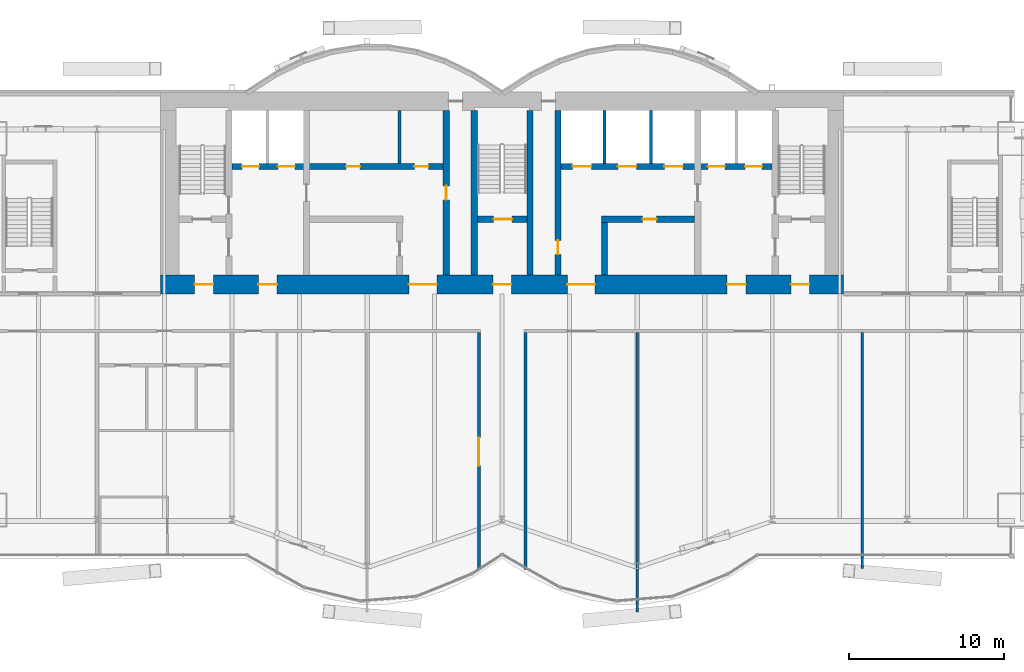
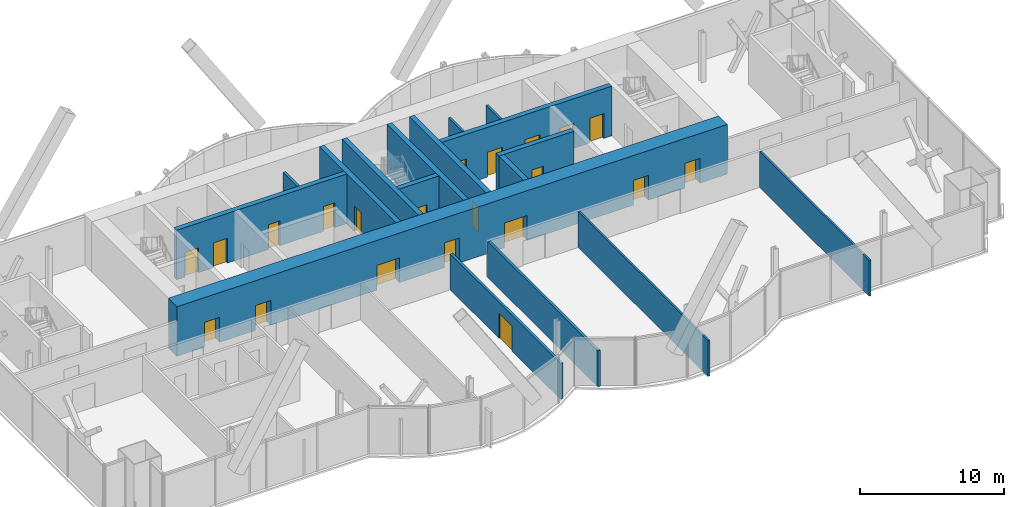
# One storey, part 15 of 20: 21 doors, 17 walls, 21 openings.
"""IFC4 building model written with IfcOpenShell, lengths in metres."""

import ifcopenshell
import ifcopenshell.guid

model = None  # the IFC model being written
_history = None  # IfcOwnerHistory: only IFC2X3 demands one
_inside = {}  # id of a spatial element -> (the spatial element, [elements in it])
_under = {}  # id of a project, library or spatial element -> (it, [spatial elements below it])
_declared = {}  # id of a project -> (the project, [libraries it declares])
_typed = {}  # id of a type object -> (the type object, [elements of that type])
_made_of = {}  # id of a material, layer set ... -> (it, [elements and type objects made of it])


def new_model(schema):
    """Start an empty IFC model of exactly this schema.

    Asked for "IFC4X3", IfcOpenShell would pick the latest addendum, in which some entities
    have other attributes; the version numbers below select the first issue.
    IFC2X3 requires an IfcOwnerHistory on every rooted entity: one is made here for all.
    """
    global model, _history
    if schema == "IFC4X3":
        model = ifcopenshell.file(schema_version=(4, 3, 0, 0))
    else:
        model = ifcopenshell.file(schema=schema)
    _inside.clear()
    _under.clear()
    _declared.clear()
    _typed.clear()
    _made_of.clear()
    _history = None
    if model.schema == "IFC2X3":
        org = make("IfcOrganization", Name="unknown")
        user = make(
            "IfcPersonAndOrganization",
            ThePerson=make("IfcPerson", FamilyName="unknown"),
            TheOrganization=org,
        )
        app = make(
            "IfcApplication",
            ApplicationDeveloper=org,
            Version="unknown",
            ApplicationFullName="unknown",
            ApplicationIdentifier="unknown",
        )
        _history = make(
            "IfcOwnerHistory",
            OwningUser=user,
            OwningApplication=app,
            ChangeAction="ADDED",
            CreationDate=0,
        )
    return model


def make(cls, **values):
    """One entity of the class cls with the attributes given. An attribute that is None is left unset."""
    return model.create_entity(
        cls, **{name: value for name, value in values.items() if value is not None}
    )


def rooted(cls, **values):
    """An entity with a GlobalId (a new one), such as an element, a storey or a relation."""
    return make(cls, GlobalId=ifcopenshell.guid.new(), OwnerHistory=_history, **values)


def si_unit(unit_type, name, prefix=None):
    """IfcSIUnit, for example si_unit("LENGTHUNIT", "METRE", prefix="MILLI")."""
    return make("IfcSIUnit", UnitType=unit_type, Prefix=prefix, Name=name)


def assignment(units):
    """IfcUnitAssignment: the units of a project."""
    return None if units is None else make("IfcUnitAssignment", Units=units)


def point(xyz):
    """IfcCartesianPoint."""
    return None if xyz is None else make("IfcCartesianPoint", Coordinates=xyz)


def direction(xyz):
    """IfcDirection."""
    return None if xyz is None else make("IfcDirection", DirectionRatios=xyz)


def frame(location, z_axis=None, x_axis=None):
    """IfcAxis2Placement3D, a coordinate frame: its origin and axes. An axis left out is left unset."""
    return make(
        "IfcAxis2Placement3D",
        Location=point(location),
        Axis=direction(z_axis),
        RefDirection=direction(x_axis),
    )


def frame_2d(location, x_axis=None):
    """IfcAxis2Placement2D, a coordinate frame in the plane: its origin and x axis."""
    return make(
        "IfcAxis2Placement2D", Location=point(location), RefDirection=direction(x_axis)
    )


def origin():
    """The frame at (0, 0, 0) with its axes left unset."""
    return frame((0.0, 0.0, 0.0))


def place(relative_to, where):
    """IfcLocalPlacement: puts the frame where relative to a parent placement (None: the world)."""
    return make(
        "IfcLocalPlacement", PlacementRelTo=relative_to, RelativePlacement=where
    )


def context(
    kind, dimensions, precision=None, world=None, true_north=None, identifier=None
):
    """IfcGeometricRepresentationContext, for example the 3D "Model" context."""
    return make(
        "IfcGeometricRepresentationContext",
        ContextIdentifier=identifier,
        ContextType=kind,
        CoordinateSpaceDimension=dimensions,
        Precision=precision,
        WorldCoordinateSystem=world,
        TrueNorth=true_north,
    )


def subcontext(parent, identifier, kind, view, scale=None):
    """IfcGeometricRepresentationSubContext, for example "Body" below "Model"."""
    return make(
        "IfcGeometricRepresentationSubContext",
        ContextIdentifier=identifier,
        ContextType=kind,
        ParentContext=parent,
        TargetScale=scale,
        TargetView=view,
    )


def project(units=None, contexts=None):
    """IfcProject with its units and contexts."""
    return rooted(
        "IfcProject",
        Name="project",
        RepresentationContexts=contexts,
        UnitsInContext=assignment(units),
    )


def spatial(cls, under=None, at=None, **own):
    """A site, building, storey or space (cls), placed at a placement, below another one or the project."""
    s = rooted(cls, ObjectPlacement=at, **own)
    if under is not None:
        _under.setdefault(under.id(), (under, []))[1].append(s)
    return s


def profile(cls, at=None, kind="AREA", **sizes):
    """A parametric profile (cls). Its sizes go by their IFC names, for example OverallWidth=200.0."""
    return make(cls, ProfileType=kind, Position=at, **sizes)


def rectangle(**sizes):
    """IfcRectangleProfileDef."""
    return profile("IfcRectangleProfileDef", **sizes)


def extrude(swept, where, along, depth):
    """IfcExtrudedAreaSolid: the profile swept, set in the frame where, extruded along a direction by depth."""
    return make(
        "IfcExtrudedAreaSolid",
        SweptArea=swept,
        Position=where,
        ExtrudedDirection=direction(along),
        Depth=depth,
    )


def shape(context_of_items, identifier, shape_type, items):
    """IfcShapeRepresentation: the items that make up one representation, for example the "Body"."""
    return make(
        "IfcShapeRepresentation",
        ContextOfItems=context_of_items,
        RepresentationIdentifier=identifier,
        RepresentationType=shape_type,
        Items=items,
    )


def material(Name=None, Category=None):
    """IfcMaterial."""
    return make("IfcMaterial", Name=Name, Category=Category)


def layer(
    of_material, thickness, ventilated=None, Name=None, Category=None, Priority=None
):
    """IfcMaterialLayer: one layer of a wall or slab, of a material (None: an air gap)."""
    return make(
        "IfcMaterialLayer",
        Material=of_material,
        LayerThickness=thickness,
        IsVentilated=ventilated,
        Name=Name,
        Category=Category,
        Priority=Priority,
    )


def layer_set(layers, Name=None):
    """IfcMaterialLayerSet."""
    return make("IfcMaterialLayerSet", MaterialLayers=layers, LayerSetName=Name)


def made_of(thing, what):
    """Note that an element or type object is made of a material, layer set ...; save() writes the relation."""
    if what is not None:
        _made_of.setdefault(what.id(), (what, []))[1].append(thing)
    return thing


def type_object(cls, material=None, **own):
    """A type object (cls), such as IfcWallType, which elements share."""
    return made_of(rooted(cls, **own), material)


def element(
    cls,
    number,
    at=None,
    inside=None,
    cuts=None,
    type_object=None,
    material=None,
    context=None,
    identifier="Body",
    shape_type=None,
    held_by="IfcProductDefinitionShape",
    body=None,
    shapes=None,
    **own,
):
    """One element of the class cls, such as IfcWall. Its Tag is "e" and its number.

    at: its placement. inside: the storey or other place that contains it. cuts: it is an
    opening in that element (IfcRelVoidsElement). A single representation is given by context,
    identifier, shape_type and body (its items); several are given by shapes. held_by: the class
    of the entity that holds the representations. save() writes the other relations.
    """
    e = rooted(cls, Tag="e%d" % number, ObjectPlacement=at, **own)
    if body is not None:
        shapes = [shape(context, identifier, shape_type, body)]
    if shapes is not None:
        e.Representation = make(held_by, Representations=shapes)
    if inside is not None:
        _inside.setdefault(inside.id(), (inside, []))[1].append(e)
    if cuts is not None:
        rooted(
            "IfcRelVoidsElement", RelatingBuildingElement=cuts, RelatedOpeningElement=e
        )
    if type_object is not None:
        _typed.setdefault(type_object.id(), (type_object, []))[1].append(e)
    return made_of(e, material)


def fill(opening, filler):
    """IfcRelFillsElement: the door or window that sits in an opening."""
    return rooted(
        "IfcRelFillsElement",
        RelatingOpeningElement=opening,
        RelatedBuildingElement=filler,
    )


def aggregate(whole, parts):
    """IfcRelAggregates: a whole, such as a stair, and the parts it consists of."""
    return rooted("IfcRelAggregates", RelatingObject=whole, RelatedObjects=parts)


def save(model, path):
    """Write the relations noted so far, then the file.

    IfcRelAggregates (storeys below a building ...), IfcRelContainedInSpatialStructure (elements
    in a storey), IfcRelDefinesByType, IfcRelAssociatesMaterial and IfcRelDeclares: one each for
    every whole, place, type object, material and project.
    """
    for whole, parts in _under.values():
        aggregate(whole, parts)
    for where, things in _inside.values():
        rooted(
            "IfcRelContainedInSpatialStructure",
            RelatedElements=things,
            RelatingStructure=where,
        )
    for kind, things in _typed.values():
        rooted("IfcRelDefinesByType", RelatedObjects=things, RelatingType=kind)
    for what, things in _made_of.values():
        rooted("IfcRelAssociatesMaterial", RelatedObjects=things, RelatingMaterial=what)
    for by, libraries in _declared.values():
        rooted("IfcRelDeclares", RelatingContext=by, RelatedDefinitions=libraries)
    model.write(path)


model = new_model("IFC4")

# Units and contexts
model_context = context("Model", 3, precision=1e-05, world=origin(), true_north=direction((0.0, 1.0)))
body_context = subcontext(model_context, "Body", "Model", "MODEL_VIEW")
ifc_project = project(units=[si_unit("LENGTHUNIT", "METRE"), si_unit("AREAUNIT", "SQUARE_METRE"), si_unit("VOLUMEUNIT", "CUBIC_METRE"), si_unit("PLANEANGLEUNIT", "RADIAN"), si_unit("MASSUNIT", "GRAM", prefix="KILO")], contexts=[model_context])

# Site, building, storey
site_placement = place(None, origin())
site = spatial("IfcSite", under=ifc_project, at=site_placement, CompositionType="ELEMENT")
building_placement = place(site_placement, origin())
building = spatial("IfcBuilding", under=site, at=building_placement, Name="Bicima Exchange Tower", CompositionType="ELEMENT")
storey_placement = place(building_placement, frame((0.0, 0.0, 245.60009765625)))
storey = spatial("IfcBuildingStorey", under=building, at=storey_placement, Name="L55", CompositionType="ELEMENT", Elevation=245.60009765625)

# Walls
ifc_material_1 = material(Name="Gypsum board partition")
ifc_layer_1 = layer(ifc_material_1, 0.199951171875)
ifc_layer_set_1 = layer_set([ifc_layer_1], Name="Gypsum board partition")
wall_type_1 = type_object("IfcWallType", Name="Fire-rated gypsum partition 200 EI120", PredefinedType="PARTITIONING", material=ifc_layer_set_1)
for number, where, z_axis, x_axis, name in (
    (1, (6.60009765625, -4.60009765625, 0.0), (0.0, 0.0, 1.0), (0.0, 1.0, 0.0), "partition wall 18"),
    (2, (9.60009765625, -4.60009765625, 0.0), (0.0, 0.0, 1.0), (0.0, 1.0, 0.0), "partition wall 19"),
):
    element("IfcWall", number, at=place(storey_placement, frame(where, z_axis=z_axis, x_axis=x_axis)), inside=storey, type_object=wall_type_1, Name=name, PredefinedType="PARTITIONING", context=body_context, shape_type="SweptSolid", body=[
        extrude(rectangle(XDim=3.400146484375, YDim=0.199951171875, at=frame_2d((1.7001953125, 0.0))), origin(), (0.0, 0.0, 1.0), 3.039306640625),
    ])

# Wall, opening, door
ifc_layer_2 = layer(ifc_material_1, 0.199951171875)
ifc_layer_set_2 = layer_set([ifc_layer_2], Name="Gypsum board partition")
wall_type_2 = type_object("IfcWallType", Name="Fire-rated gypsum partition 200 EI60", PredefinedType="PARTITIONING", material=ifc_layer_set_2)
wall_1_placement = place(storey_placement, frame((-1.5, -30.760009765625, 0.0), z_axis=(0.0, 0.0, 1.0), x_axis=(0.0, 1.0, 0.0)))
wall_1 = element("IfcWall", 3, at=wall_1_placement, inside=storey, type_object=wall_type_2, Name="partition wall 23", PredefinedType="PARTITIONING", context=body_context, shape_type="SweptSolid", body=[
    extrude(rectangle(XDim=15.260009765625, YDim=0.199951171875, at=frame_2d((7.6298828125, 0.0))), origin(), (0.0, 0.0, 1.0), 3.039306640625),
])
opening_1_placement = place(wall_1_placement, frame((6.699951171875, 0.0, 0.0)))
opening_1 = element("IfcOpeningElement", 4, at=opening_1_placement, cuts=wall_1, Name="Opening L55-014", PredefinedType="OPENING", context=body_context, shape_type="SweptSolid", body=[
    extrude(rectangle(XDim=1.800048828125, YDim=2.10009765625, at=frame_2d((0.89990234375, 1.050048828125))), frame((0.0, 0.11181640625, 0.0), z_axis=(0.0, -1.0, 0.0), x_axis=(1.0, 0.0, 0.0)), (0.0, 0.0, 1.0), 0.223876953125),
])
ifc_material_2 = material(Name="Steel fire door leaf", Category="steel")
door_type_1 = type_object("IfcDoorType", Name="Door 1800 double swing FD30S", OperationType="DOUBLE_DOOR_SINGLE_SWING", PredefinedType="DOOR", material=ifc_material_2)
door_1_placement = place(opening_1_placement, origin())
door_1 = element("IfcDoor", 5, at=door_1_placement, inside=storey, type_object=door_type_1, Name="Door", OperationType="SINGLE_SWING_LEFT", OverallHeight=2.10009765625, OverallWidth=1.800048828125, PredefinedType="DOOR", context=body_context, shape_type="SweptSolid", body=[
    extrude(rectangle(XDim=1.800048828125, YDim=2.10009765625, at=frame_2d((0.89990234375, 1.050048828125))), frame((0.0, 0.02490234375, 0.0), z_axis=(0.0, -1.0, 0.0), x_axis=(1.0, 0.0, 0.0)), (0.0, 0.0, 1.0), 0.050048828125),
])
fill(opening_1, door_1)

# Walls
wall_2_placement = place(storey_placement, frame((1.5, -30.760009765625, 0.0), z_axis=(0.0, 0.0, 1.0), x_axis=(0.0, 1.0, 0.0)))
element("IfcWall", 6, at=wall_2_placement, inside=storey, type_object=wall_type_2, Name="partition wall 24", PredefinedType="PARTITIONING", context=body_context, shape_type="SweptSolid", body=[
    extrude(rectangle(XDim=15.260009765625, YDim=0.199951171875, at=frame_2d((7.6298828125, 0.0))), origin(), (0.0, 0.0, 1.0), 3.039306640625),
])
wall_3_placement = place(storey_placement, frame((-6.60009765625, -4.60009765625, 0.0), z_axis=(0.0, 0.0, 1.0), x_axis=(0.0, 1.0, 0.0)))
element("IfcWall", 7, at=wall_3_placement, inside=storey, type_object=wall_type_2, Name="partition wall 12", PredefinedType="PARTITIONING", context=body_context, shape_type="SweptSolid", body=[
    extrude(rectangle(XDim=3.400146484375, YDim=0.199951171875, at=frame_2d((1.7001953125, 0.0))), origin(), (0.0, 0.0, 1.0), 3.039306640625),
])
ifc_layer_3 = layer(ifc_material_1, 0.14990234375)
ifc_layer_set_3 = layer_set([ifc_layer_3], Name="Gypsum board partition")
wall_type_3 = type_object("IfcWallType", Name="Gypsum partition 150", PredefinedType="PARTITIONING", material=ifc_layer_set_3)
wall_4_placement = place(storey_placement, frame((8.699951171875, -33.483154296875, 0.0), z_axis=(0.0, 0.0, 1.0), x_axis=(0.0, 1.0, 0.0)))
element("IfcWall", 8, at=wall_4_placement, inside=storey, type_object=wall_type_3, Name="partition wall 25", PredefinedType="PARTITIONING", context=body_context, shape_type="SweptSolid", body=[
    extrude(rectangle(XDim=17.983154296875, YDim=0.14990234375, at=frame_2d((8.99169921875, 0.0))), origin(), (0.0, 0.0, 1.0), 3.039306640625),
])
wall_5_placement = place(storey_placement, frame((23.199951171875, -30.687744140625, 0.0), z_axis=(0.0, 0.0, 1.0), x_axis=(0.0, 1.0, 0.0)))
element("IfcWall", 9, at=wall_5_placement, inside=storey, type_object=wall_type_3, Name="partition wall 26", PredefinedType="PARTITIONING", context=body_context, shape_type="SweptSolid", body=[
    extrude(rectangle(XDim=15.187744140625, YDim=0.14990234375, at=frame_2d((7.59375, 0.0))), origin(), (0.0, 0.0, 1.0), 3.039306640625),
])

# Wall, openings, doors
ifc_material_3 = material(Name="Concrete C40/50", Category="concrete")
ifc_layer_4 = layer(ifc_material_3, 1.199951171875)
ifc_layer_set_4 = layer_set([ifc_layer_4], Name="Concrete C40/50")
wall_type_4 = type_object("IfcWallType", Name="RC core wall 1200 C40/50", PredefinedType="SHEAR", material=ifc_layer_set_4)
wall_6_placement = place(storey_placement, frame((-22.0, -12.39990234375, 0.0), z_axis=(0.0, 0.0, 1.0), x_axis=(1.0, 0.0, 0.0)))
wall_6 = element("IfcWall", 10, at=wall_6_placement, inside=storey, type_object=wall_type_4, Name="Core wall south", PredefinedType="SHEAR", context=body_context, shape_type="SweptSolid", body=[
    extrude(rectangle(XDim=44.0, YDim=1.199951171875, at=frame_2d((22.0, 0.0))), origin(), (0.0, 0.0, 1.0), 4.199951171875),
])
opening_2_placement = place(wall_6_placement, frame((2.199951171875, 0.0, 0.0)))
opening_2 = element("IfcOpeningElement", 11, at=opening_2_placement, cuts=wall_6, Name="Opening L55-C18", PredefinedType="OPENING", context=body_context, shape_type="SweptSolid", body=[
    extrude(rectangle(XDim=1.199951171875, YDim=2.10009765625, at=frame_2d((0.60009765625, 1.050048828125))), frame((0.0, 0.61181640625, 0.0), z_axis=(0.0, -1.0, 0.0), x_axis=(1.0, 0.0, 0.0)), (0.0, 0.0, 1.0), 1.223876953125),
])
opening_3_placement = place(wall_6_placement, frame((21.39990234375, 0.0, 0.0)))
opening_3 = element("IfcOpeningElement", 12, at=opening_3_placement, cuts=wall_6, Name="Opening L55-C19", PredefinedType="OPENING", context=body_context, shape_type="SweptSolid", body=[
    extrude(rectangle(XDim=1.199951171875, YDim=2.10009765625, at=frame_2d((0.60009765625, 1.050048828125))), frame((0.0, 0.61181640625, 0.0), z_axis=(0.0, -1.0, 0.0), x_axis=(1.0, 0.0, 0.0)), (0.0, 0.0, 1.0), 1.223876953125),
])
opening_4_placement = place(wall_6_placement, frame((40.60009765625, 0.0, 0.0)))
opening_4 = element("IfcOpeningElement", 13, at=opening_4_placement, cuts=wall_6, Name="Opening L55-C20", PredefinedType="OPENING", context=body_context, shape_type="SweptSolid", body=[
    extrude(rectangle(XDim=1.199951171875, YDim=2.10009765625, at=frame_2d((0.60009765625, 1.050048828125))), frame((0.0, 0.61181640625, 0.0), z_axis=(0.0, -1.0, 0.0), x_axis=(1.0, 0.0, 0.0)), (0.0, 0.0, 1.0), 1.223876953125),
])
opening_5_placement = place(wall_6_placement, frame((16.0, 0.0, 0.0)))
opening_5 = element("IfcOpeningElement", 14, at=opening_5_placement, cuts=wall_6, Name="Opening L55-C21", PredefinedType="OPENING", context=body_context, shape_type="SweptSolid", body=[
    extrude(rectangle(XDim=1.800048828125, YDim=2.10009765625, at=frame_2d((0.89990234375, 1.050048828125))), frame((0.0, 0.61181640625, 0.0), z_axis=(0.0, -1.0, 0.0), x_axis=(1.0, 0.0, 0.0)), (0.0, 0.0, 1.0), 1.223876953125),
])
opening_6_placement = place(wall_6_placement, frame((6.300048828125, 0.0, 0.0)))
opening_6 = element("IfcOpeningElement", 15, at=opening_6_placement, cuts=wall_6, Name="Opening L55-C22", PredefinedType="OPENING", context=body_context, shape_type="SweptSolid", body=[
    extrude(rectangle(XDim=1.199951171875, YDim=2.10009765625, at=frame_2d((0.60009765625, 1.050048828125))), frame((0.0, 0.61181640625, 0.0), z_axis=(0.0, -1.0, 0.0), x_axis=(1.0, 0.0, 0.0)), (0.0, 0.0, 1.0), 1.223876953125),
])
opening_7_placement = place(wall_6_placement, frame((26.199951171875, 0.0, 0.0)))
opening_7 = element("IfcOpeningElement", 16, at=opening_7_placement, cuts=wall_6, Name="Opening L55-C23", PredefinedType="OPENING", context=body_context, shape_type="SweptSolid", body=[
    extrude(rectangle(XDim=1.800048828125, YDim=2.10009765625, at=frame_2d((0.89990234375, 1.050048828125))), frame((0.0, 0.61181640625, 0.0), z_axis=(0.0, -1.0, 0.0), x_axis=(1.0, 0.0, 0.0)), (0.0, 0.0, 1.0), 1.223876953125),
])
opening_8_placement = place(wall_6_placement, frame((36.5, 0.0, 0.0)))
opening_8 = element("IfcOpeningElement", 17, at=opening_8_placement, cuts=wall_6, Name="Opening L55-C24", PredefinedType="OPENING", context=body_context, shape_type="SweptSolid", body=[
    extrude(rectangle(XDim=1.199951171875, YDim=2.10009765625, at=frame_2d((0.60009765625, 1.050048828125))), frame((0.0, 0.61181640625, 0.0), z_axis=(0.0, -1.0, 0.0), x_axis=(1.0, 0.0, 0.0)), (0.0, 0.0, 1.0), 1.223876953125),
])
door_type_2 = type_object("IfcDoorType", Name="Door 1200 swing FD60S", OperationType="SINGLE_SWING_LEFT", PredefinedType="DOOR", material=ifc_material_2)
door_2_placement = place(opening_2_placement, frame((1.199951171875, 0.0, 0.0), z_axis=(0.0, 0.0, 1.0), x_axis=(-1.0, 0.0, 0.0)))
door_2 = element("IfcDoor", 18, at=door_2_placement, inside=storey, type_object=door_type_2, Name="Core door", OperationType="SINGLE_SWING_RIGHT", OverallHeight=2.10009765625, OverallWidth=1.199951171875, PredefinedType="DOOR", context=body_context, shape_type="SweptSolid", body=[
    extrude(rectangle(XDim=1.199951171875, YDim=2.10009765625, at=frame_2d((0.60009765625, 1.050048828125))), frame((0.0, 0.02490234375, 0.0), z_axis=(0.0, -1.0, 0.0), x_axis=(1.0, 0.0, 0.0)), (0.0, 0.0, 1.0), 0.050048828125),
])
fill(opening_2, door_2)
door_3_placement = place(opening_3_placement, frame((1.199951171875, 0.0, 0.0), z_axis=(0.0, 0.0, 1.0), x_axis=(-1.0, 0.0, 0.0)))
door_3 = element("IfcDoor", 19, at=door_3_placement, inside=storey, type_object=door_type_2, Name="Core door", OperationType="SINGLE_SWING_RIGHT", OverallHeight=2.10009765625, OverallWidth=1.199951171875, PredefinedType="DOOR", context=body_context, shape_type="SweptSolid", body=[
    extrude(rectangle(XDim=1.199951171875, YDim=2.10009765625, at=frame_2d((0.60009765625, 1.050048828125))), frame((0.0, 0.02490234375, 0.0), z_axis=(0.0, -1.0, 0.0), x_axis=(1.0, 0.0, 0.0)), (0.0, 0.0, 1.0), 0.050048828125),
])
fill(opening_3, door_3)
door_4_placement = place(opening_4_placement, frame((1.199951171875, 0.0, 0.0), z_axis=(0.0, 0.0, 1.0), x_axis=(-1.0, 0.0, 0.0)))
door_4 = element("IfcDoor", 20, at=door_4_placement, inside=storey, type_object=door_type_2, Name="Core door", OperationType="SINGLE_SWING_RIGHT", OverallHeight=2.10009765625, OverallWidth=1.199951171875, PredefinedType="DOOR", context=body_context, shape_type="SweptSolid", body=[
    extrude(rectangle(XDim=1.199951171875, YDim=2.10009765625, at=frame_2d((0.60009765625, 1.050048828125))), frame((0.0, 0.02490234375, 0.0), z_axis=(0.0, -1.0, 0.0), x_axis=(1.0, 0.0, 0.0)), (0.0, 0.0, 1.0), 0.050048828125),
])
fill(opening_4, door_4)
door_5_placement = place(opening_6_placement, frame((1.199951171875, 0.0, 0.0), z_axis=(0.0, 0.0, 1.0), x_axis=(-1.0, 0.0, 0.0)))
door_5 = element("IfcDoor", 21, at=door_5_placement, inside=storey, type_object=door_type_2, Name="Core door", OperationType="SINGLE_SWING_RIGHT", OverallHeight=2.10009765625, OverallWidth=1.199951171875, PredefinedType="DOOR", context=body_context, shape_type="SweptSolid", body=[
    extrude(rectangle(XDim=1.199951171875, YDim=2.10009765625, at=frame_2d((0.60009765625, 1.050048828125))), frame((0.0, 0.02490234375, 0.0), z_axis=(0.0, -1.0, 0.0), x_axis=(1.0, 0.0, 0.0)), (0.0, 0.0, 1.0), 0.050048828125),
])
fill(opening_6, door_5)
door_6_placement = place(opening_8_placement, frame((1.199951171875, 0.0, 0.0), z_axis=(0.0, 0.0, 1.0), x_axis=(-1.0, 0.0, 0.0)))
door_6 = element("IfcDoor", 22, at=door_6_placement, inside=storey, type_object=door_type_2, Name="Core door", OperationType="SINGLE_SWING_RIGHT", OverallHeight=2.10009765625, OverallWidth=1.199951171875, PredefinedType="DOOR", context=body_context, shape_type="SweptSolid", body=[
    extrude(rectangle(XDim=1.199951171875, YDim=2.10009765625, at=frame_2d((0.60009765625, 1.050048828125))), frame((0.0, 0.02490234375, 0.0), z_axis=(0.0, -1.0, 0.0), x_axis=(1.0, 0.0, 0.0)), (0.0, 0.0, 1.0), 0.050048828125),
])
fill(opening_8, door_6)
door_7_placement = place(opening_5_placement, origin())
door_7 = element("IfcDoor", 23, at=door_7_placement, inside=storey, type_object=door_type_1, Name="Core door", OperationType="SINGLE_SWING_LEFT", OverallHeight=2.10009765625, OverallWidth=1.800048828125, PredefinedType="DOOR", context=body_context, shape_type="SweptSolid", body=[
    extrude(rectangle(XDim=1.800048828125, YDim=2.10009765625, at=frame_2d((0.89990234375, 1.050048828125))), frame((0.0, 0.02490234375, 0.0), z_axis=(0.0, -1.0, 0.0), x_axis=(1.0, 0.0, 0.0)), (0.0, 0.0, 1.0), 0.050048828125),
])
fill(opening_5, door_7)
door_8_placement = place(opening_7_placement, origin())
door_8 = element("IfcDoor", 24, at=door_8_placement, inside=storey, type_object=door_type_1, Name="Core door", OperationType="SINGLE_SWING_LEFT", OverallHeight=2.10009765625, OverallWidth=1.800048828125, PredefinedType="DOOR", context=body_context, shape_type="SweptSolid", body=[
    extrude(rectangle(XDim=1.800048828125, YDim=2.10009765625, at=frame_2d((0.89990234375, 1.050048828125))), frame((0.0, 0.02490234375, 0.0), z_axis=(0.0, -1.0, 0.0), x_axis=(1.0, 0.0, 0.0)), (0.0, 0.0, 1.0), 0.050048828125),
])
fill(opening_7, door_8)

# Wall, opening, door
ifc_layer_5 = layer(ifc_material_3, 0.39990234375)
ifc_layer_set_5 = layer_set([ifc_layer_5], Name="Concrete C40/50")
wall_type_5 = type_object("IfcWallType", Name="RC core wall 400 C40/50", PredefinedType="SHEAR", material=ifc_layer_set_5)
wall_7_placement = place(storey_placement, frame((6.39990234375, -8.199951171875, 0.0), z_axis=(0.0, 0.0, 1.0), x_axis=(1.0, 0.0, 0.0)))
wall_7 = element("IfcWall", 25, at=wall_7_placement, inside=storey, type_object=wall_type_5, Name="shear wall 4", PredefinedType="SHEAR", context=body_context, shape_type="SweptSolid", body=[
    extrude(rectangle(XDim=6.0, YDim=0.39990234375, at=frame_2d((3.0, 0.0))), origin(), (0.0, 0.0, 1.0), 4.199951171875),
])
opening_9_placement = place(wall_7_placement, frame((2.64990234375, 0.0, 0.0)))
opening_9 = element("IfcOpeningElement", 26, at=opening_9_placement, cuts=wall_7, Name="Opening L55-C15", PredefinedType="OPENING", context=body_context, shape_type="SweptSolid", body=[
    extrude(rectangle(XDim=0.89990234375, YDim=2.10009765625, at=frame_2d((0.449951171875, 1.050048828125))), frame((0.0, 0.2119140625, 0.0), z_axis=(0.0, -1.0, 0.0), x_axis=(1.0, 0.0, 0.0)), (0.0, 0.0, 1.0), 0.423828125),
])
door_type_3 = type_object("IfcDoorType", Name="Door 900 swing FD30S", OperationType="SINGLE_SWING_LEFT", PredefinedType="DOOR", material=ifc_material_2)
door_9_placement = place(opening_9_placement, frame((0.89990234375, 0.0, 0.0), z_axis=(0.0, 0.0, 1.0), x_axis=(-1.0, 0.0, 0.0)))
door_9 = element("IfcDoor", 27, at=door_9_placement, inside=storey, type_object=door_type_3, Name="Core door", OperationType="SINGLE_SWING_RIGHT", OverallHeight=2.10009765625, OverallWidth=0.89990234375, PredefinedType="DOOR", context=body_context, shape_type="SweptSolid", body=[
    extrude(rectangle(XDim=0.89990234375, YDim=2.10009765625, at=frame_2d((0.449951171875, 1.050048828125))), frame((0.0, 0.02490234375, 0.0), z_axis=(0.0, -1.0, 0.0), x_axis=(1.0, 0.0, 0.0)), (0.0, 0.0, 1.0), 0.050048828125),
])
fill(opening_9, door_9)

# Wall, openings, doors
wall_8_placement = place(storey_placement, frame((-17.39990234375, -4.800048828125, 0.0), z_axis=(0.0, 0.0, 1.0), x_axis=(1.0, 0.0, 0.0)))
wall_8 = element("IfcWall", 28, at=wall_8_placement, inside=storey, type_object=wall_type_5, Name="shear wall 6", PredefinedType="SHEAR", context=body_context, shape_type="SweptSolid", body=[
    extrude(rectangle(XDim=13.599853515625, YDim=0.39990234375, at=frame_2d((6.7998046875, 0.0))), origin(), (0.0, 0.0, 1.0), 4.199951171875),
])
opening_10_placement = place(wall_8_placement, frame((0.64990234375, 0.0, 0.0)))
opening_10 = element("IfcOpeningElement", 29, at=opening_10_placement, cuts=wall_8, Name="Opening LD-FF1-L55", PredefinedType="OPENING", context=body_context, shape_type="SweptSolid", body=[
    extrude(rectangle(XDim=1.10009765625, YDim=2.10009765625, at=frame_2d((0.550048828125, 1.050048828125))), frame((0.0, 0.2119140625, 0.0), z_axis=(0.0, -1.0, 0.0), x_axis=(1.0, 0.0, 0.0)), (0.0, 0.0, 1.0), 0.423828125),
])
opening_11_placement = place(wall_8_placement, frame((2.949951171875, 0.0, 0.0)))
opening_11 = element("IfcOpeningElement", 30, at=opening_11_placement, cuts=wall_8, Name="Opening LD-FF3-L55", PredefinedType="OPENING", context=body_context, shape_type="SweptSolid", body=[
    extrude(rectangle(XDim=1.10009765625, YDim=2.10009765625, at=frame_2d((0.550048828125, 1.050048828125))), frame((0.0, 0.2119140625, 0.0), z_axis=(0.0, -1.0, 0.0), x_axis=(1.0, 0.0, 0.0)), (0.0, 0.0, 1.0), 0.423828125),
])
opening_12_placement = place(wall_8_placement, frame((7.35009765625, 0.0, 0.0)))
opening_12 = element("IfcOpeningElement", 31, at=opening_12_placement, cuts=wall_8, Name="Opening L55-C12", PredefinedType="OPENING", context=body_context, shape_type="SweptSolid", body=[
    extrude(rectangle(XDim=0.89990234375, YDim=2.10009765625, at=frame_2d((0.449951171875, 1.050048828125))), frame((0.0, 0.2119140625, 0.0), z_axis=(0.0, -1.0, 0.0), x_axis=(1.0, 0.0, 0.0)), (0.0, 0.0, 1.0), 0.423828125),
])
opening_13_placement = place(wall_8_placement, frame((11.75, 0.0, 0.0)))
opening_13 = element("IfcOpeningElement", 32, at=opening_13_placement, cuts=wall_8, Name="Opening L55-C13", PredefinedType="OPENING", context=body_context, shape_type="SweptSolid", body=[
    extrude(rectangle(XDim=0.89990234375, YDim=2.10009765625, at=frame_2d((0.449951171875, 1.050048828125))), frame((0.0, 0.2119140625, 0.0), z_axis=(0.0, -1.0, 0.0), x_axis=(1.0, 0.0, 0.0)), (0.0, 0.0, 1.0), 0.423828125),
])
door_10_placement = place(opening_12_placement, origin())
door_10 = element("IfcDoor", 33, at=door_10_placement, inside=storey, type_object=door_type_3, Name="Core door", OperationType="SINGLE_SWING_RIGHT", OverallHeight=2.10009765625, OverallWidth=0.89990234375, PredefinedType="DOOR", context=body_context, shape_type="SweptSolid", body=[
    extrude(rectangle(XDim=0.89990234375, YDim=2.10009765625, at=frame_2d((0.449951171875, 1.050048828125))), frame((0.0, 0.02490234375, 0.0), z_axis=(0.0, -1.0, 0.0), x_axis=(1.0, 0.0, 0.0)), (0.0, 0.0, 1.0), 0.050048828125),
])
fill(opening_12, door_10)
door_11_placement = place(opening_13_placement, origin())
door_11 = element("IfcDoor", 34, at=door_11_placement, inside=storey, type_object=door_type_3, Name="Core door", OperationType="SINGLE_SWING_LEFT", OverallHeight=2.10009765625, OverallWidth=0.89990234375, PredefinedType="DOOR", context=body_context, shape_type="SweptSolid", body=[
    extrude(rectangle(XDim=0.89990234375, YDim=2.10009765625, at=frame_2d((0.449951171875, 1.050048828125))), frame((0.0, 0.02490234375, 0.0), z_axis=(0.0, -1.0, 0.0), x_axis=(1.0, 0.0, 0.0)), (0.0, 0.0, 1.0), 0.050048828125),
])
fill(opening_13, door_11)
ifc_material_4 = material(Name="Stainless steel", Category="steel")
door_type_4 = type_object("IfcDoorType", Name="Lift landing door 1100 sliding", OperationType="DOUBLE_DOOR_SLIDING", PredefinedType="DOOR", material=ifc_material_4)
door_12_placement = place(opening_10_placement, origin())
door_12 = element("IfcDoor", 35, at=door_12_placement, inside=storey, type_object=door_type_4, Name="Lift landing door FF1", OperationType="DOUBLE_DOOR_SLIDING", OverallHeight=2.10009765625, OverallWidth=1.10009765625, PredefinedType="DOOR", context=body_context, shape_type="SweptSolid", body=[
    extrude(rectangle(XDim=1.10009765625, YDim=2.10009765625, at=frame_2d((0.550048828125, 1.050048828125))), frame((0.0, 0.02490234375, 0.0), z_axis=(0.0, -1.0, 0.0), x_axis=(1.0, 0.0, 0.0)), (0.0, 0.0, 1.0), 0.050048828125),
])
fill(opening_10, door_12)
door_13_placement = place(opening_11_placement, origin())
door_13 = element("IfcDoor", 36, at=door_13_placement, inside=storey, type_object=door_type_4, Name="Lift landing door FF3", OperationType="DOUBLE_DOOR_SLIDING", OverallHeight=2.10009765625, OverallWidth=1.10009765625, PredefinedType="DOOR", context=body_context, shape_type="SweptSolid", body=[
    extrude(rectangle(XDim=1.10009765625, YDim=2.10009765625, at=frame_2d((0.550048828125, 1.050048828125))), frame((0.0, 0.02490234375, 0.0), z_axis=(0.0, -1.0, 0.0), x_axis=(1.0, 0.0, 0.0)), (0.0, 0.0, 1.0), 0.050048828125),
])
fill(opening_11, door_13)

wall_9_placement = place(storey_placement, frame((3.800048828125, -4.800048828125, 0.0), z_axis=(0.0, 0.0, 1.0), x_axis=(1.0, 0.0, 0.0)))
wall_9 = element("IfcWall", 37, at=wall_9_placement, inside=storey, type_object=wall_type_5, Name="shear wall 7", PredefinedType="SHEAR", context=body_context, shape_type="SweptSolid", body=[
    extrude(rectangle(XDim=13.599853515625, YDim=0.39990234375, at=frame_2d((6.7998046875, 0.0))), origin(), (0.0, 0.0, 1.0), 4.199951171875),
])
opening_14_placement = place(wall_9_placement, frame((0.75, 0.0, 0.0)))
opening_14 = element("IfcOpeningElement", 38, at=opening_14_placement, cuts=wall_9, Name="Opening LD-HB1-L55", PredefinedType="OPENING", context=body_context, shape_type="SweptSolid", body=[
    extrude(rectangle(XDim=1.199951171875, YDim=2.10009765625, at=frame_2d((0.60009765625, 1.050048828125))), frame((0.0, 0.2119140625, 0.0), z_axis=(0.0, -1.0, 0.0), x_axis=(1.0, 0.0, 0.0)), (0.0, 0.0, 1.0), 0.423828125),
])
opening_15_placement = place(wall_9_placement, frame((3.64990234375, 0.0, 0.0)))
opening_15 = element("IfcOpeningElement", 39, at=opening_15_placement, cuts=wall_9, Name="Opening LD-HB2-L55", PredefinedType="OPENING", context=body_context, shape_type="SweptSolid", body=[
    extrude(rectangle(XDim=1.199951171875, YDim=2.10009765625, at=frame_2d((0.60009765625, 1.050048828125))), frame((0.0, 0.2119140625, 0.0), z_axis=(0.0, -1.0, 0.0), x_axis=(1.0, 0.0, 0.0)), (0.0, 0.0, 1.0), 0.423828125),
])
opening_16_placement = place(wall_9_placement, frame((6.64990234375, 0.0, 0.0)))
opening_16 = element("IfcOpeningElement", 40, at=opening_16_placement, cuts=wall_9, Name="Opening LD-HB3-L55", PredefinedType="OPENING", context=body_context, shape_type="SweptSolid", body=[
    extrude(rectangle(XDim=1.199951171875, YDim=2.10009765625, at=frame_2d((0.60009765625, 1.050048828125))), frame((0.0, 0.2119140625, 0.0), z_axis=(0.0, -1.0, 0.0), x_axis=(1.0, 0.0, 0.0)), (0.0, 0.0, 1.0), 0.423828125),
])
opening_17_placement = place(wall_9_placement, frame((9.449951171875, 0.0, 0.0)))
opening_17 = element("IfcOpeningElement", 41, at=opening_17_placement, cuts=wall_9, Name="Opening LD-FF2-L55", PredefinedType="OPENING", context=body_context, shape_type="SweptSolid", body=[
    extrude(rectangle(XDim=1.10009765625, YDim=2.10009765625, at=frame_2d((0.550048828125, 1.050048828125))), frame((0.0, 0.2119140625, 0.0), z_axis=(0.0, -1.0, 0.0), x_axis=(1.0, 0.0, 0.0)), (0.0, 0.0, 1.0), 0.423828125),
])
opening_18_placement = place(wall_9_placement, frame((11.85009765625, 0.0, 0.0)))
opening_18 = element("IfcOpeningElement", 42, at=opening_18_placement, cuts=wall_9, Name="Opening LD-SV1-L55", PredefinedType="OPENING", context=body_context, shape_type="SweptSolid", body=[
    extrude(rectangle(XDim=1.10009765625, YDim=2.10009765625, at=frame_2d((0.550048828125, 1.050048828125))), frame((0.0, 0.2119140625, 0.0), z_axis=(0.0, -1.0, 0.0), x_axis=(1.0, 0.0, 0.0)), (0.0, 0.0, 1.0), 0.423828125),
])
door_14_placement = place(opening_17_placement, origin())
door_14 = element("IfcDoor", 43, at=door_14_placement, inside=storey, type_object=door_type_4, Name="Lift landing door FF2", OperationType="DOUBLE_DOOR_SLIDING", OverallHeight=2.10009765625, OverallWidth=1.10009765625, PredefinedType="DOOR", context=body_context, shape_type="SweptSolid", body=[
    extrude(rectangle(XDim=1.10009765625, YDim=2.10009765625, at=frame_2d((0.550048828125, 1.050048828125))), frame((0.0, 0.02490234375, 0.0), z_axis=(0.0, -1.0, 0.0), x_axis=(1.0, 0.0, 0.0)), (0.0, 0.0, 1.0), 0.050048828125),
])
fill(opening_17, door_14)
door_15_placement = place(opening_18_placement, origin())
door_15 = element("IfcDoor", 44, at=door_15_placement, inside=storey, type_object=door_type_4, Name="Lift landing door SV1", OperationType="DOUBLE_DOOR_SLIDING", OverallHeight=2.10009765625, OverallWidth=1.10009765625, PredefinedType="DOOR", context=body_context, shape_type="SweptSolid", body=[
    extrude(rectangle(XDim=1.10009765625, YDim=2.10009765625, at=frame_2d((0.550048828125, 1.050048828125))), frame((0.0, 0.02490234375, 0.0), z_axis=(0.0, -1.0, 0.0), x_axis=(1.0, 0.0, 0.0)), (0.0, 0.0, 1.0), 0.050048828125),
])
fill(opening_18, door_15)
door_type_5 = type_object("IfcDoorType", Name="Lift landing door 1200 sliding", OperationType="DOUBLE_DOOR_SLIDING", PredefinedType="DOOR", material=ifc_material_4)
door_16_placement = place(opening_14_placement, origin())
door_16 = element("IfcDoor", 45, at=door_16_placement, inside=storey, type_object=door_type_5, Name="Lift landing door HB1", OperationType="DOUBLE_DOOR_SLIDING", OverallHeight=2.10009765625, OverallWidth=1.199951171875, PredefinedType="DOOR", context=body_context, shape_type="SweptSolid", body=[
    extrude(rectangle(XDim=1.199951171875, YDim=2.10009765625, at=frame_2d((0.60009765625, 1.050048828125))), frame((0.0, 0.02490234375, 0.0), z_axis=(0.0, -1.0, 0.0), x_axis=(1.0, 0.0, 0.0)), (0.0, 0.0, 1.0), 0.050048828125),
])
fill(opening_14, door_16)
door_17_placement = place(opening_15_placement, origin())
door_17 = element("IfcDoor", 46, at=door_17_placement, inside=storey, type_object=door_type_5, Name="Lift landing door HB2", OperationType="DOUBLE_DOOR_SLIDING", OverallHeight=2.10009765625, OverallWidth=1.199951171875, PredefinedType="DOOR", context=body_context, shape_type="SweptSolid", body=[
    extrude(rectangle(XDim=1.199951171875, YDim=2.10009765625, at=frame_2d((0.60009765625, 1.050048828125))), frame((0.0, 0.02490234375, 0.0), z_axis=(0.0, -1.0, 0.0), x_axis=(1.0, 0.0, 0.0)), (0.0, 0.0, 1.0), 0.050048828125),
])
fill(opening_15, door_17)
door_18_placement = place(opening_16_placement, origin())
door_18 = element("IfcDoor", 47, at=door_18_placement, inside=storey, type_object=door_type_5, Name="Lift landing door HB3", OperationType="DOUBLE_DOOR_SLIDING", OverallHeight=2.10009765625, OverallWidth=1.199951171875, PredefinedType="DOOR", context=body_context, shape_type="SweptSolid", body=[
    extrude(rectangle(XDim=1.199951171875, YDim=2.10009765625, at=frame_2d((0.60009765625, 1.050048828125))), frame((0.0, 0.02490234375, 0.0), z_axis=(0.0, -1.0, 0.0), x_axis=(1.0, 0.0, 0.0)), (0.0, 0.0, 1.0), 0.050048828125),
])
fill(opening_16, door_18)

# Wall, opening, door
wall_10_placement = place(storey_placement, frame((-3.60009765625, -11.800048828125, 0.0), z_axis=(0.0, 0.0, 1.0), x_axis=(0.0, 1.0, 0.0)))
wall_10 = element("IfcWall", 48, at=wall_10_placement, inside=storey, type_object=wall_type_5, Name="shear wall 13", PredefinedType="SHEAR", context=body_context, shape_type="SweptSolid", body=[
    extrude(rectangle(XDim=10.60009765625, YDim=0.39990234375, at=frame_2d((5.300048828125, 0.0))), origin(), (0.0, 0.0, 1.0), 4.199951171875),
])
opening_19_placement = place(wall_10_placement, frame((4.85009765625, 0.0, 0.0)))
opening_19 = element("IfcOpeningElement", 49, at=opening_19_placement, cuts=wall_10, Name="Opening L55-C10", PredefinedType="OPENING", context=body_context, shape_type="SweptSolid", body=[
    extrude(rectangle(XDim=0.89990234375, YDim=2.10009765625, at=frame_2d((0.449951171875, 1.050048828125))), frame((0.0, 0.2119140625, 0.0), z_axis=(0.0, -1.0, 0.0), x_axis=(1.0, 0.0, 0.0)), (0.0, 0.0, 1.0), 0.423828125),
])
door_19_placement = place(opening_19_placement, frame((0.89990234375, 0.0, 0.0), z_axis=(0.0, 0.0, 1.0), x_axis=(-1.0, 0.0, 0.0)))
door_19 = element("IfcDoor", 50, at=door_19_placement, inside=storey, type_object=door_type_3, Name="Core door", OperationType="SINGLE_SWING_LEFT", OverallHeight=2.10009765625, OverallWidth=0.89990234375, PredefinedType="DOOR", context=body_context, shape_type="SweptSolid", body=[
    extrude(rectangle(XDim=0.89990234375, YDim=2.10009765625, at=frame_2d((0.449951171875, 1.050048828125))), frame((0.0, 0.02490234375, 0.0), z_axis=(0.0, -1.0, 0.0), x_axis=(1.0, 0.0, 0.0)), (0.0, 0.0, 1.0), 0.050048828125),
])
fill(opening_19, door_19)

wall_11_placement = place(storey_placement, frame((3.60009765625, -11.800048828125, 0.0), z_axis=(0.0, 0.0, 1.0), x_axis=(0.0, 1.0, 0.0)))
wall_11 = element("IfcWall", 51, at=wall_11_placement, inside=storey, type_object=wall_type_5, Name="shear wall 16", PredefinedType="SHEAR", context=body_context, shape_type="SweptSolid", body=[
    extrude(rectangle(XDim=10.60009765625, YDim=0.39990234375, at=frame_2d((5.300048828125, 0.0))), origin(), (0.0, 0.0, 1.0), 4.199951171875),
])
opening_20_placement = place(wall_11_placement, frame((1.35009765625, 0.0, 0.0)))
opening_20 = element("IfcOpeningElement", 52, at=opening_20_placement, cuts=wall_11, Name="Opening L55-C11", PredefinedType="OPENING", context=body_context, shape_type="SweptSolid", body=[
    extrude(rectangle(XDim=0.89990234375, YDim=2.10009765625, at=frame_2d((0.449951171875, 1.050048828125))), frame((0.0, 0.2119140625, 0.0), z_axis=(0.0, -1.0, 0.0), x_axis=(1.0, 0.0, 0.0)), (0.0, 0.0, 1.0), 0.423828125),
])
door_20_placement = place(opening_20_placement, origin())
door_20 = element("IfcDoor", 53, at=door_20_placement, inside=storey, type_object=door_type_3, Name="Core door", OperationType="SINGLE_SWING_LEFT", OverallHeight=2.10009765625, OverallWidth=0.89990234375, PredefinedType="DOOR", context=body_context, shape_type="SweptSolid", body=[
    extrude(rectangle(XDim=0.89990234375, YDim=2.10009765625, at=frame_2d((0.449951171875, 1.050048828125))), frame((0.0, 0.02490234375, 0.0), z_axis=(0.0, -1.0, 0.0), x_axis=(1.0, 0.0, 0.0)), (0.0, 0.0, 1.0), 0.050048828125),
])
fill(opening_20, door_20)

# Wall
wall_12_placement = place(storey_placement, frame((6.60009765625, -11.800048828125, 0.0), z_axis=(0.0, 0.0, 1.0), x_axis=(0.0, 1.0, 0.0)))
element("IfcWall", 54, at=wall_12_placement, inside=storey, type_object=wall_type_5, Name="shear wall 17", PredefinedType="SHEAR", context=body_context, shape_type="SweptSolid", body=[
    extrude(rectangle(XDim=3.400146484375, YDim=0.39990234375, at=frame_2d((1.7001953125, 0.0))), origin(), (0.0, 0.0, 1.0), 4.199951171875),
])

# Wall, opening, door
ifc_material_5 = material(Name="Concrete C50/60", Category="concrete")
ifc_layer_6 = layer(ifc_material_5, 0.39990234375)
ifc_layer_set_6 = layer_set([ifc_layer_6], Name="Concrete C50/60")
wall_type_6 = type_object("IfcWallType", Name="RC core wall 400 C50/60", PredefinedType="SHEAR", material=ifc_layer_set_6)
wall_13_placement = place(storey_placement, frame((-1.60009765625, -8.199951171875, 0.0), z_axis=(0.0, 0.0, 1.0), x_axis=(1.0, 0.0, 0.0)))
wall_13 = element("IfcWall", 55, at=wall_13_placement, inside=storey, type_object=wall_type_6, Name="stair wall 3", PredefinedType="SHEAR", context=body_context, shape_type="SweptSolid", body=[
    extrude(rectangle(XDim=3.2001953125, YDim=0.39990234375, at=frame_2d((1.60009765625, 0.0))), origin(), (0.0, 0.0, 1.0), 4.199951171875),
])
opening_21_placement = place(wall_13_placement, frame((1.050048828125, 0.0, 0.0)))
opening_21 = element("IfcOpeningElement", 56, at=opening_21_placement, cuts=wall_13, Name="Opening L55-C03", PredefinedType="OPENING", context=body_context, shape_type="SweptSolid", body=[
    extrude(rectangle(XDim=1.199951171875, YDim=2.10009765625, at=frame_2d((0.60009765625, 1.050048828125))), frame((0.0, 0.2119140625, 0.0), z_axis=(0.0, -1.0, 0.0), x_axis=(1.0, 0.0, 0.0)), (0.0, 0.0, 1.0), 0.423828125),
])
door_21_placement = place(opening_21_placement, origin())
door_21 = element("IfcDoor", 57, at=door_21_placement, inside=storey, type_object=door_type_2, Name="Core door", OperationType="SINGLE_SWING_LEFT", OverallHeight=2.10009765625, OverallWidth=1.199951171875, PredefinedType="DOOR", context=body_context, shape_type="SweptSolid", body=[
    extrude(rectangle(XDim=1.199951171875, YDim=2.10009765625, at=frame_2d((0.60009765625, 1.050048828125))), frame((0.0, 0.02490234375, 0.0), z_axis=(0.0, -1.0, 0.0), x_axis=(1.0, 0.0, 0.0)), (0.0, 0.0, 1.0), 0.050048828125),
])
fill(opening_21, door_21)

# Walls
for number, where, z_axis, x_axis, name in (
    (58, (-1.800048828125, -11.800048828125, 0.0), (0.0, 0.0, 1.0), (0.0, 1.0, 0.0), "stair wall 14"),
    (59, (1.800048828125, -11.800048828125, 0.0), (0.0, 0.0, 1.0), (0.0, 1.0, 0.0), "stair wall 15"),
):
    element("IfcWall", number, at=place(storey_placement, frame(where, z_axis=z_axis, x_axis=x_axis)), inside=storey, type_object=wall_type_6, Name=name, PredefinedType="SHEAR", context=body_context, shape_type="SweptSolid", body=[
        extrude(rectangle(XDim=10.60009765625, YDim=0.39990234375, at=frame_2d((5.300048828125, 0.0))), origin(), (0.0, 0.0, 1.0), 4.199951171875),
    ])

save(model, "model.ifc")
